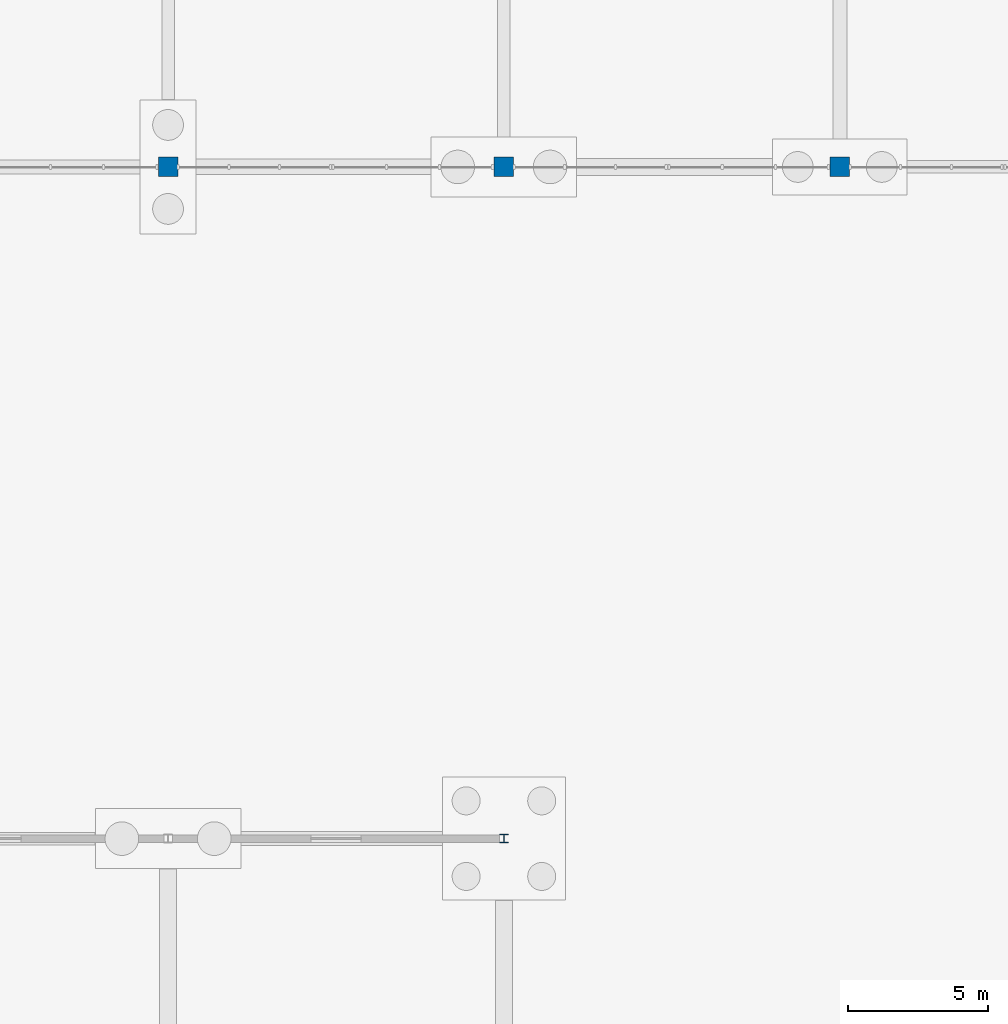
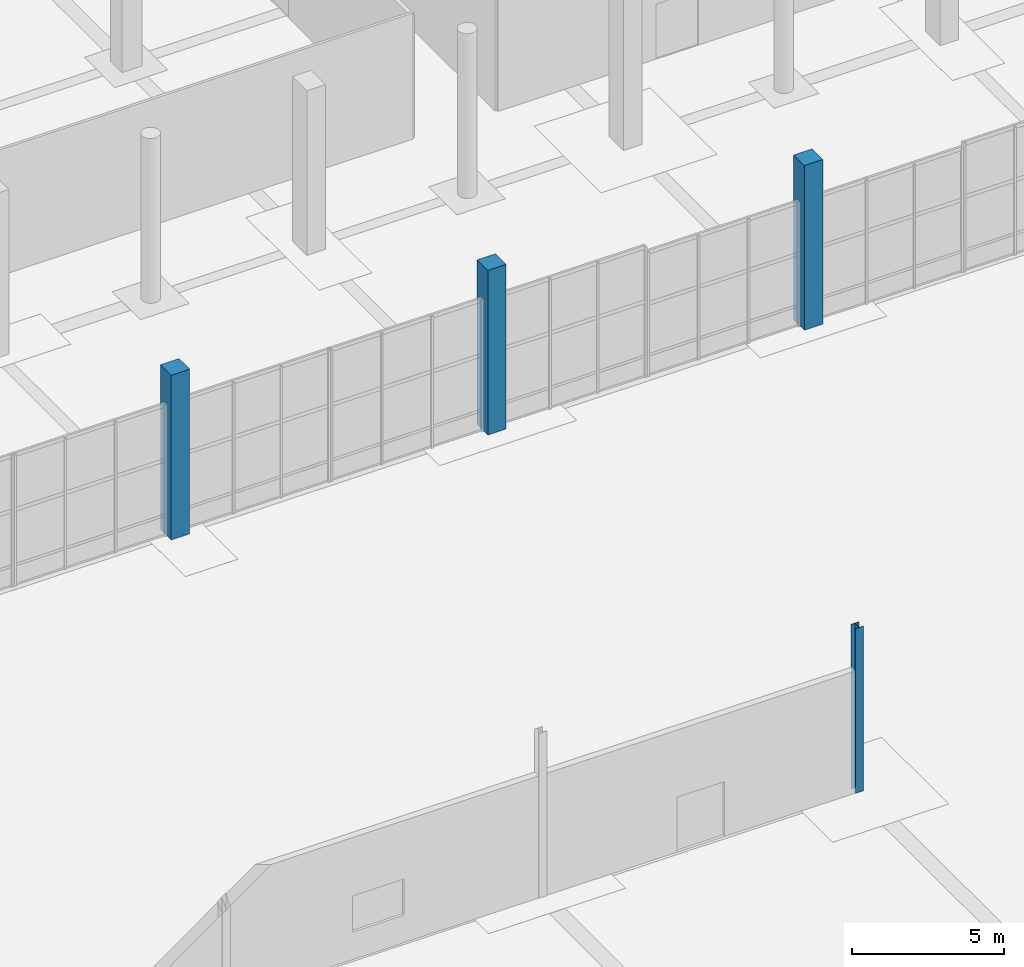
# One storey, part 21 of 117: 4 columns.
"""IFC4 building model written with IfcOpenShell, lengths in metres."""

from ifc_helpers import new_model, si_unit, direction, frame, origin, origin_2d, place, context, subcontext, project, spatial, rectangle, i_section, extrude, material, material_profile, profile_set, type_object, element, save


model = new_model("IFC4")

# Units and contexts
model_context = context("Model", 3, precision=1e-05, world=origin(), true_north=direction((0.0, 1.0)))
body_context = subcontext(model_context, "Body", "Model", "MODEL_VIEW")
ifc_project = project(units=[si_unit("LENGTHUNIT", "METRE"), si_unit("AREAUNIT", "SQUARE_METRE"), si_unit("VOLUMEUNIT", "CUBIC_METRE"), si_unit("PLANEANGLEUNIT", "RADIAN"), si_unit("MASSUNIT", "GRAM", prefix="KILO")], contexts=[model_context])

# Site, building, storey
site_placement = place(None, origin())
site = spatial("IfcSite", under=ifc_project, at=site_placement, CompositionType="ELEMENT")
building_placement = place(site_placement, origin())
building = spatial("IfcBuilding", under=site, at=building_placement, Name="Kamomehara Wholesale Market", CompositionType="ELEMENT")
storey_placement = place(building_placement, origin())
storey = spatial("IfcBuildingStorey", under=building, at=storey_placement, Name="L00", CompositionType="ELEMENT", Elevation=0.0)

# Columns
ifc_material_1 = material(Name="Precast concrete Fc45 (C40/50)", Category="concrete")
ifc_material_profile_1 = material_profile(ifc_material_1, rectangle(XDim=0.699951171875, YDim=0.699951171875, at=origin_2d()), Name="PC-COL-700x700")
ifc_profile_set_1 = profile_set([ifc_material_profile_1], Name="Precast concrete Fc45 (C40/50)")
column_type_1 = type_object("IfcColumnType", Name="COL-PC700-EXT", PredefinedType="COLUMN", material=ifc_profile_set_1)
for number, where, z_axis, x_axis, name in (
    (1, (96.0, 96.0, 0.0), (0.0, 0.0, 1.0), (1.0, 0.0, 0.0), "Column C-05E L00"),
    (2, (108.0, 96.0, 0.0), (0.0, 0.0, 1.0), (1.0, 0.0, 0.0), "Column C-05E L00"),
    (3, (120.0, 96.0, 0.0), (0.0, 0.0, 1.0), (1.0, 0.0, 0.0), "Column C-05E L00"),
):
    element("IfcColumn", number, at=place(storey_placement, frame(where, z_axis=z_axis, x_axis=x_axis)), inside=storey, type_object=column_type_1, Name=name, PredefinedType="COLUMN", context=body_context, shape_type="SweptSolid", body=[
        extrude(rectangle(XDim=0.699951171875, YDim=0.699951171875, at=origin_2d()), origin(), (0.0, 0.0, 1.0), 6.60009765625),
    ])
ifc_material_2 = material(Name="Steel SN490B", Category="steel")
ifc_material_profile_2 = material_profile(ifc_material_2, i_section(OverallWidth=0.300048828125, OverallDepth=0.300048828125, WebThickness=0.010009765625, FlangeThickness=0.014892578125, FilletRadius=0.012939453125, at=origin_2d()), Name="H-300x300x10x15")
ifc_profile_set_2 = profile_set([ifc_material_profile_2], Name="Steel SN490B")
column_type_2 = type_object("IfcColumnType", Name="COL-ST-H300-EXT", PredefinedType="COLUMN", material=ifc_profile_set_2)
column_placement = place(storey_placement, frame((108.0, 72.0, 0.0), z_axis=(0.0, 0.0, 1.0), x_axis=(1.0, 0.0, 0.0)))
element("IfcColumn", 4, at=column_placement, inside=storey, type_object=column_type_2, Name="Column CS-03E L00", PredefinedType="COLUMN", context=body_context, shape_type="SweptSolid", body=[
    extrude(i_section(OverallWidth=0.300048828125, OverallDepth=0.300048828125, WebThickness=0.010009765625, FlangeThickness=0.014892578125, FilletRadius=0.012939453125, at=origin_2d()), origin(), (0.0, 0.0, 1.0), 6.60009765625),
])

save(model, "model.ifc")
